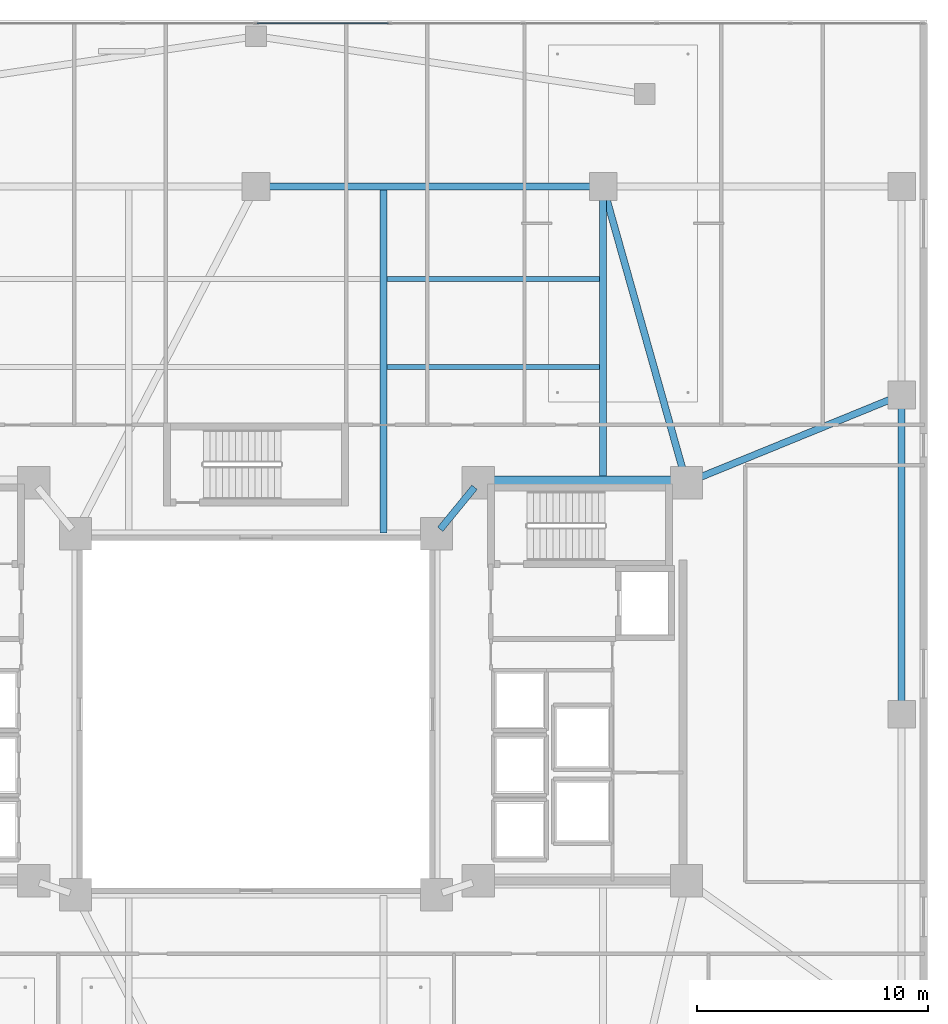
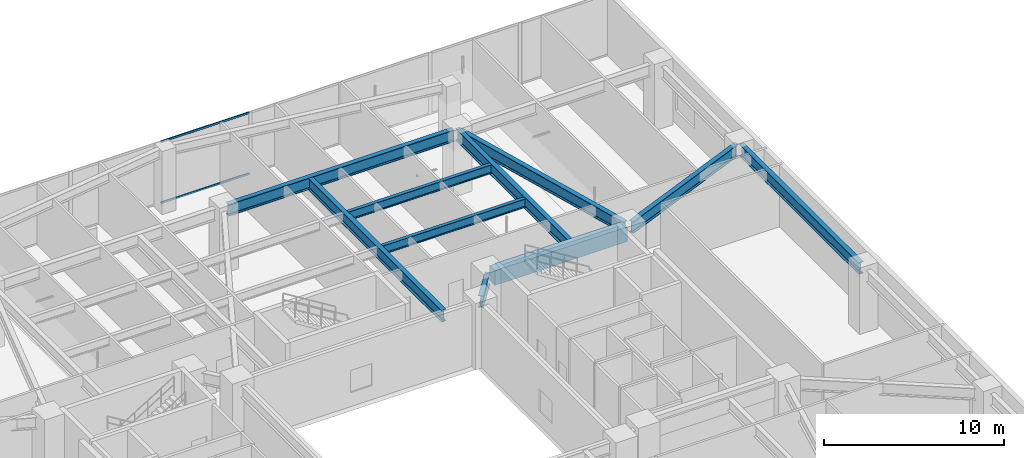
# One storey, part 5 of 22: 10 beams, 2 members, 1 element without a shape of its own.
"""IFC4 building model written with IfcOpenShell, lengths in metres."""

from ifc_helpers import new_model, si_unit, direction, frame, origin, origin_2d, place, context, subcontext, project, spatial, rectangle, hollow_rectangle, i_section, extrude, material, layer, layer_set, material_profile, profile_set, type_object, element, aggregate, save


model = new_model("IFC4")

# Units and contexts
model_context = context("Model", 3, precision=1e-05, world=origin(), true_north=direction((0.0, 1.0)))
body_context = subcontext(model_context, "Body", "Model", "MODEL_VIEW")
ifc_project = project(units=[si_unit("LENGTHUNIT", "METRE"), si_unit("AREAUNIT", "SQUARE_METRE"), si_unit("VOLUMEUNIT", "CUBIC_METRE"), si_unit("PLANEANGLEUNIT", "RADIAN"), si_unit("MASSUNIT", "GRAM", prefix="KILO")], contexts=[model_context])

# Site, building, storey
site_placement = place(None, origin())
site = spatial("IfcSite", under=ifc_project, at=site_placement, CompositionType="ELEMENT")
building_placement = place(site_placement, origin())
building = spatial("IfcBuilding", under=site, at=building_placement, Name="Tarnavaz Court Tower", CompositionType="ELEMENT")
storey_placement = place(building_placement, frame((0.0, 0.0, 14.39990234375)))
storey = spatial("IfcBuildingStorey", under=building, at=storey_placement, Name="L03", CompositionType="ELEMENT", Elevation=14.39990234375)

# Beams
ifc_material_1 = material(Name="Concrete C60/75", Category="concrete")
ifc_material_profile_1 = material_profile(ifc_material_1, rectangle(XDim=0.60009765625, YDim=1.0, at=origin_2d()), Name="RC 600X1000")
ifc_profile_set_1 = profile_set([ifc_material_profile_1], Name="Concrete C60/75")
beam_type_1 = type_object("IfcBeamType", Name="BM-CB1000", PredefinedType="LINTEL", material=ifc_profile_set_1)
beam_1_placement = place(storey_placement, frame((18.35009765625, 10.0, 3.7001953125), z_axis=(-1.0, 0.0, 0.0), x_axis=(0.0, -1.0, 0.0)))
element("IfcBeam", 1, at=beam_1_placement, inside=storey, type_object=beam_type_1, Name="L03 Beam CE-NO-CE-NI", PredefinedType="LINTEL", context=body_context, shape_type="SweptSolid", body=[
    extrude(rectangle(XDim=0.60009765625, YDim=1.0, at=origin_2d()), origin(), (0.0, 0.0, 1.0), 8.5),
])
ifc_material_2 = material(Name="Steel S355", Category="steel")
ifc_material_profile_2 = material_profile(ifc_material_2, i_section(OverallWidth=0.300048828125, OverallDepth=0.800048828125, WebThickness=0.017578125, FlangeThickness=0.032958984375, FilletRadius=0.030029296875, at=origin_2d()), Name="HEB 800")
ifc_profile_set_2 = profile_set([ifc_material_profile_2], Name="Steel S355")
beam_type_2 = type_object("IfcBeamType", Name="BM-G-HEB800", PredefinedType="USERDEFINED", material=ifc_profile_set_2)
beam_2_placement = place(storey_placement, frame((9.441650390625, 9.806396484375, 3.800048828125), z_axis=(-0.633249141033, -0.773948012066, 0.0), x_axis=(0.773948012066, -0.633249141033, 0.0)))
element("IfcBeam", 2, at=beam_2_placement, inside=storey, type_object=beam_type_2, Name="L03 Beam CE-NI-IW-NE", ObjectType="GIRDER", PredefinedType="USERDEFINED", context=body_context, shape_type="SweptSolid", body=[
    extrude(i_section(OverallWidth=0.300048828125, OverallDepth=0.800048828125, WebThickness=0.017578125, FlangeThickness=0.032958984375, FilletRadius=0.030029296875, at=origin_2d()), origin(), (0.0, 0.0, 1.0), 2.342529296875),
])
beam_3_placement = place(storey_placement, frame((0.25, 22.800048828125, 3.800048828125), z_axis=(1.0, 0.0, 0.0), x_axis=(0.0, 1.0, 0.0)))
element("IfcBeam", 3, at=beam_3_placement, inside=storey, type_object=beam_type_2, Name="L03 Beam PM-PM-N2-PM-N3", ObjectType="GIRDER", PredefinedType="USERDEFINED", context=body_context, shape_type="SweptSolid", body=[
    extrude(i_section(OverallWidth=0.300048828125, OverallDepth=0.800048828125, WebThickness=0.017578125, FlangeThickness=0.032958984375, FilletRadius=0.030029296875, at=origin_2d()), origin(), (0.0, 0.0, 1.0), 14.5),
])
beam_4_placement = place(storey_placement, frame((27.89990234375, 0.25, 3.800048828125), z_axis=(0.0, 1.0, 0.0), x_axis=(-1.0, 0.0, 0.0)))
element("IfcBeam", 4, at=beam_4_placement, inside=storey, type_object=beam_type_2, Name="L03 Beam PM-PM-E2-PM-E3", ObjectType="GIRDER", PredefinedType="USERDEFINED", context=body_context, shape_type="SweptSolid", body=[
    extrude(i_section(OverallWidth=0.300048828125, OverallDepth=0.800048828125, WebThickness=0.017578125, FlangeThickness=0.032958984375, FilletRadius=0.030029296875, at=origin_2d()), origin(), (0.0, 0.0, 1.0), 13.300048828125),
])
beam_5_placement = place(storey_placement, frame((18.5322265625, 10.24072265625, 3.800048828125), z_axis=(-0.270745024415, 0.962651095545, 0.0), x_axis=(-0.962651095545, -0.270745024415, 0.0)))
element("IfcBeam", 5, at=beam_5_placement, inside=storey, type_object=beam_type_2, Name="L03 Beam PM-CE-NO-PM-N3", ObjectType="GIRDER", PredefinedType="USERDEFINED", context=body_context, shape_type="SweptSolid", body=[
    extrude(i_section(OverallWidth=0.300048828125, OverallDepth=0.800048828125, WebThickness=0.017578125, FlangeThickness=0.032958984375, FilletRadius=0.030029296875, at=origin_2d()), origin(), (0.0, 0.0, 1.0), 12.796630859375),
])
beam_6_placement = place(storey_placement, frame((18.831298828125, 10.094482421875, 3.800048828125), z_axis=(0.925710630755, 0.378232505356, 0.0), x_axis=(-0.378232505356, 0.925710630755, 0.0)))
element("IfcBeam", 6, at=beam_6_placement, inside=storey, type_object=beam_type_2, Name="L03 Beam PM-CE-NO-PM-E3", ObjectType="GIRDER", PredefinedType="USERDEFINED", context=body_context, shape_type="SweptSolid", body=[
    extrude(i_section(OverallWidth=0.300048828125, OverallDepth=0.800048828125, WebThickness=0.017578125, FlangeThickness=0.032958984375, FilletRadius=0.030029296875, at=origin_2d()), origin(), (0.0, 0.0, 1.0), 9.546630859375),
])
beam_7_placement = place(storey_placement, frame((5.5, 7.840087890625, 3.800048828125), z_axis=(0.0, 1.0, 0.0), x_axis=(-1.0, 0.0, 0.0)))
element("IfcBeam", 7, at=beam_7_placement, inside=storey, type_object=beam_type_2, Name="L03 Beam PM-NS-NCE", ObjectType="GIRDER", PredefinedType="USERDEFINED", context=body_context, shape_type="SweptSolid", body=[
    extrude(i_section(OverallWidth=0.300048828125, OverallDepth=0.800048828125, WebThickness=0.017578125, FlangeThickness=0.032958984375, FilletRadius=0.030029296875, at=origin_2d()), origin(), (0.0, 0.0, 1.0), 14.919921875),
])
beam_8_placement = place(storey_placement, frame((15.0, 10.0400390625, 3.800048828125), z_axis=(0.0, 1.0, 0.0), x_axis=(-1.0, 0.0, 0.0)))
element("IfcBeam", 8, at=beam_8_placement, inside=storey, type_object=beam_type_2, Name="L03 Beam PM-NS-NE", ObjectType="GIRDER", PredefinedType="USERDEFINED", context=body_context, shape_type="SweptSolid", body=[
    extrude(i_section(OverallWidth=0.300048828125, OverallDepth=0.800048828125, WebThickness=0.017578125, FlangeThickness=0.032958984375, FilletRadius=0.030029296875, at=origin_2d()), origin(), (0.0, 0.0, 1.0), 12.719970703125),
])
ifc_material_profile_3 = material_profile(ifc_material_2, i_section(OverallWidth=0.219970703125, OverallDepth=0.60009765625, WebThickness=0.011962890625, FlangeThickness=0.01904296875, FilletRadius=0.02392578125, at=origin_2d()), Name="IPE 600")
ifc_profile_set_3 = profile_set([ifc_material_profile_3], Name="Steel S355")
beam_type_3 = type_object("IfcBeamType", Name="BM-J-IPE600", PredefinedType="JOIST", material=ifc_profile_set_3)
for number, where, z_axis, x_axis, name in (
    (9, (5.64990234375, 15.0, 3.900146484375), (1.0, 0.0, 0.0), (0.0, 1.0, 0.0), "L03 Beam PJN-1-3"),
    (10, (5.64990234375, 18.800048828125, 3.900146484375), (1.0, 0.0, 0.0), (0.0, 1.0, 0.0), "L03 Beam PJN-2-3"),
):
    element("IfcBeam", number, at=place(storey_placement, frame(where, z_axis=z_axis, x_axis=x_axis)), inside=storey, type_object=beam_type_3, Name=name, PredefinedType="JOIST", context=body_context, shape_type="SweptSolid", body=[
        extrude(i_section(OverallWidth=0.219970703125, OverallDepth=0.60009765625, WebThickness=0.011962890625, FlangeThickness=0.01904296875, FilletRadius=0.02392578125, at=origin_2d()), origin(), (0.0, 0.0, 1.0), 9.2001953125),
    ])

# Curtain wall, members
ifc_material_3 = material(Name="Anodised Aluminium 6063-T6 and Solar Low-E Glazing", Category="aluminium")
ifc_layer = layer(ifc_material_3, 0.18994140625)
ifc_layer_set = layer_set([ifc_layer], Name="Anodised Aluminium 6063-T6 and Solar Low-E Glazing")
curtain_wall_type = type_object("IfcCurtainWallType", Name="CW-SYS-01", PredefinedType="NOTDEFINED", material=ifc_layer_set)
curtain_wall_placement = place(storey_placement, origin())
curtain_wall = element("IfcCurtainWall", 11, at=curtain_wall_placement, inside=storey, type_object=curtain_wall_type, Name="L03 Clinic Podium Curtain Wall 1", PredefinedType="NOTDEFINED")
ifc_material_4 = material(Name="Anodised Aluminium 6063-T6", Category="aluminium")
ifc_material_profile_4 = material_profile(ifc_material_4, hollow_rectangle(XDim=0.06494140625, YDim=0.139892578125, WallThickness=0.00390625, InnerFilletRadius=0.00390625, OuterFilletRadius=0.008056640625, at=origin_2d()), Name="ALU RHS 140X65X4")
ifc_profile_set_4 = profile_set([ifc_material_profile_4], Name="Anodised Aluminium 6063-T6")
member_type = type_object("IfcMemberType", Name="CW-TRN-140", PredefinedType="USERDEFINED", material=ifc_profile_set_4)
member_1_placement = place(storey_placement, frame((0.04248046875, 29.85009765625, 0.03271484375), z_axis=(1.0, 0.0, 0.0), x_axis=(0.0, 1.0, 0.0)))
member_1 = element("IfcMember", 12, at=member_1_placement, type_object=member_type, Name="CW transom 6.1", ObjectType="TRANSOM", PredefinedType="USERDEFINED", context=body_context, shape_type="SweptSolid", body=[
    extrude(hollow_rectangle(XDim=0.06494140625, YDim=0.139892578125, WallThickness=0.00390625, InnerFilletRadius=0.00390625, OuterFilletRadius=0.008056640625, at=origin_2d()), origin(), (0.0, 0.0, 1.0), 5.68505859375),
])
member_2_placement = place(storey_placement, frame((0.04248046875, 29.85009765625, 4.16748046875), z_axis=(1.0, 0.0, 0.0), x_axis=(0.0, 1.0, 0.0)))
member_2 = element("IfcMember", 13, at=member_2_placement, type_object=member_type, Name="CW transom 6.2", ObjectType="TRANSOM", PredefinedType="USERDEFINED", context=body_context, shape_type="SweptSolid", body=[
    extrude(hollow_rectangle(XDim=0.06494140625, YDim=0.139892578125, WallThickness=0.00390625, InnerFilletRadius=0.00390625, OuterFilletRadius=0.008056640625, at=origin_2d()), origin(), (0.0, 0.0, 1.0), 5.68505859375),
])
aggregate(curtain_wall, [member_1, member_2])

save(model, "model.ifc")
